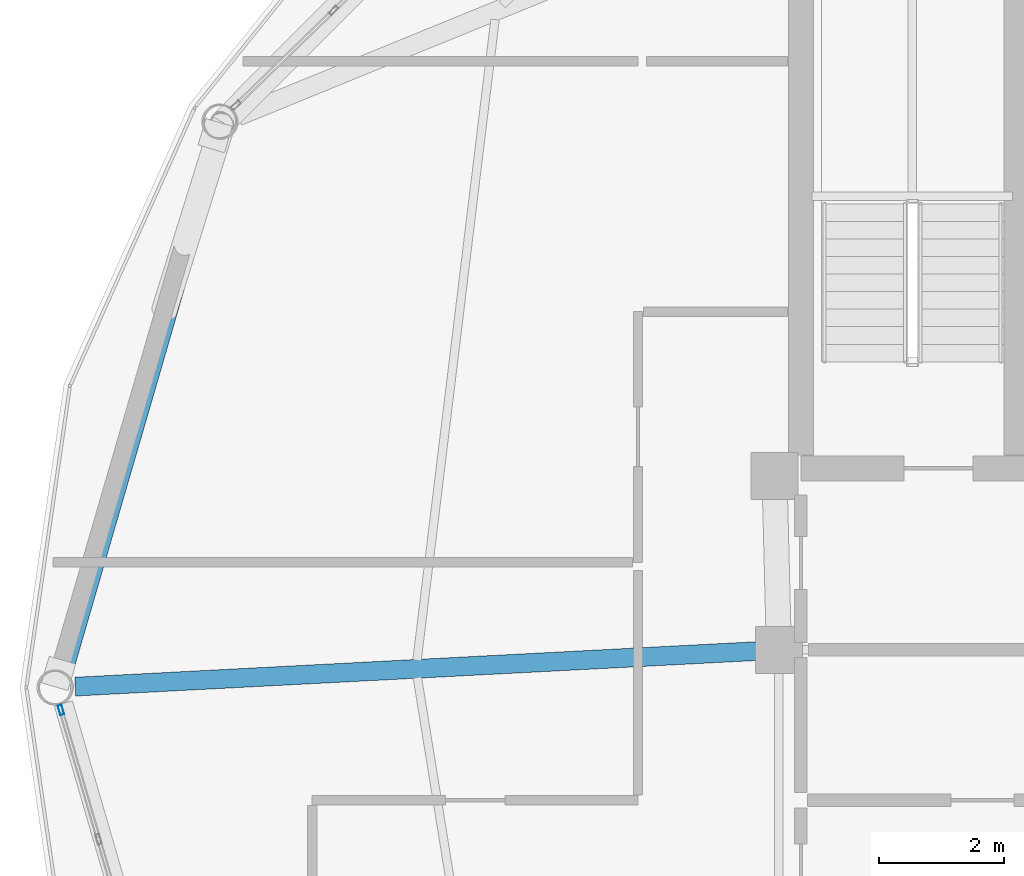
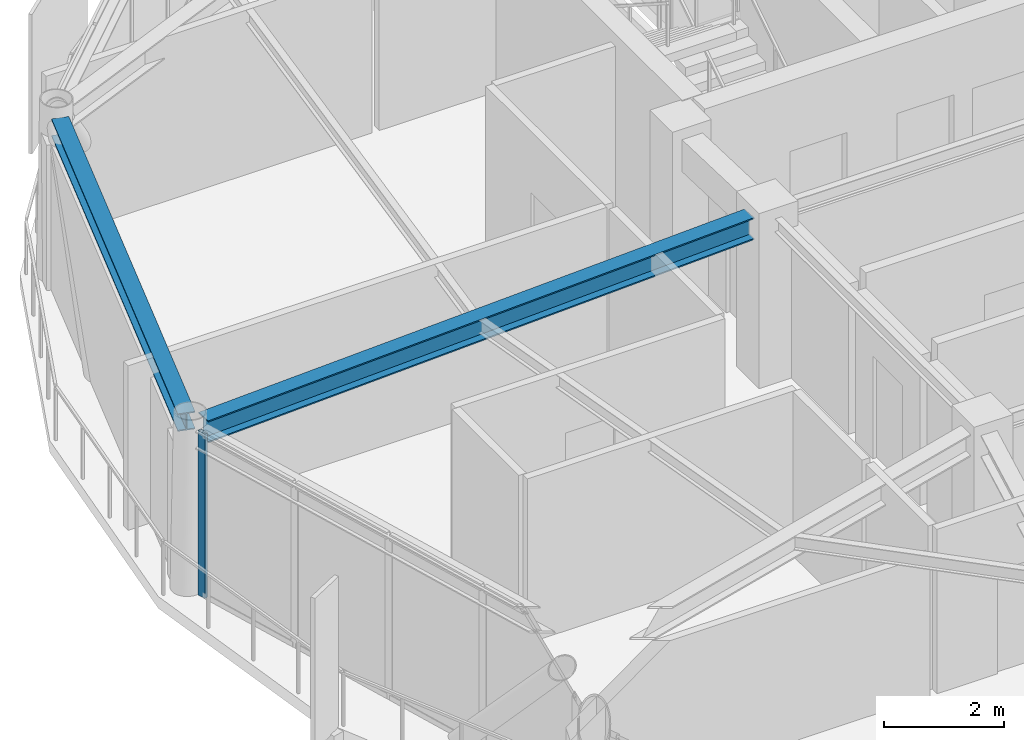
# One storey, part 11 of 27: 2 beams, 1 member, 1 element without a shape of its own.
"""IFC4 building model written with IfcOpenShell, lengths in metres."""

from ifc_helpers import new_model, si_unit, direction, frame, origin, origin_2d, place, context, subcontext, project, spatial, hollow_rectangle, i_section, extrude, material, layer, layer_set, material_profile, profile_set, type_object, element, aggregate, save


model = new_model("IFC4")

# Units and contexts
model_context = context("Model", 3, precision=1e-05, world=origin(), true_north=direction((0.0, 1.0)))
body_context = subcontext(model_context, "Body", "Model", "MODEL_VIEW")
ifc_project = project(units=[si_unit("LENGTHUNIT", "METRE"), si_unit("AREAUNIT", "SQUARE_METRE"), si_unit("VOLUMEUNIT", "CUBIC_METRE"), si_unit("PLANEANGLEUNIT", "RADIAN"), si_unit("MASSUNIT", "GRAM", prefix="KILO")], contexts=[model_context])

# Site, building, storey
site_placement = place(None, origin())
site = spatial("IfcSite", under=ifc_project, at=site_placement, CompositionType="ELEMENT")
building_placement = place(site_placement, origin())
building = spatial("IfcBuilding", under=site, at=building_placement, Name="Varnakorn Sky Granary", CompositionType="ELEMENT")
storey_placement = place(building_placement, frame((0.0, 0.0, 232.800048828125)))
storey = spatial("IfcBuildingStorey", under=building, at=storey_placement, Name="L59", CompositionType="ELEMENT", Elevation=232.800048828125)

# Beams
ifc_material_1 = material(Name="Steel S355JR", Category="steel")
ifc_material_profile_1 = material_profile(ifc_material_1, i_section(OverallWidth=0.300048828125, OverallDepth=0.449951171875, WebThickness=0.013916015625, FlangeThickness=0.02587890625, at=origin_2d()), Name="HE 450 B")
ifc_profile_set_1 = profile_set([ifc_material_profile_1], Name="Steel S355JR")
beam_type_1 = type_object("IfcBeamType", Name="BM-RAD-Z5", PredefinedType="BEAM", material=ifc_profile_set_1)
beam_1_placement = place(storey_placement, frame((-2.70458984375, 0.58154296875, 3.135009765625), z_axis=(-0.998641683412, -0.052103628965, 0.0), x_axis=(0.052103628965, -0.998641683412, 0.0)))
element("IfcBeam", 1, at=beam_1_placement, inside=storey, type_object=beam_type_1, Name="Radial Floor Girder RG07 L59", PredefinedType="BEAM", context=body_context, shape_type="SweptSolid", body=[
    extrude(i_section(OverallWidth=0.300048828125, OverallDepth=0.449951171875, WebThickness=0.013916015625, FlangeThickness=0.02587890625, at=origin_2d()), origin(), (0.0, 0.0, 1.0), 10.894287109375),
])
ifc_material_profile_2 = material_profile(ifc_material_1, i_section(OverallWidth=0.300048828125, OverallDepth=0.360107421875, WebThickness=0.012451171875, FlangeThickness=0.0224609375, at=origin_2d()), Name="HE 360 B")
ifc_profile_set_2 = profile_set([ifc_material_profile_2], Name="Steel S355JR")
beam_type_2 = type_object("IfcBeamType", Name="BM-SPD-Z5", PredefinedType="SPANDREL", material=ifc_profile_set_2)
beam_2_placement = place(storey_placement, frame((-11.2998046875, 8.765380859375, 3.179931640625), z_axis=(-0.279152699023, -0.960246723831, 0.0), x_axis=(0.960246723831, -0.279152699023, 0.0)))
element("IfcBeam", 2, at=beam_2_placement, inside=storey, type_object=beam_type_2, Name="Perimeter Spandrel Ring Beam RB06 L59", PredefinedType="SPANDREL", context=body_context, shape_type="SweptSolid", body=[
    extrude(i_section(OverallWidth=0.300048828125, OverallDepth=0.360107421875, WebThickness=0.012451171875, FlangeThickness=0.0224609375, at=origin_2d()), origin(), (0.0, 0.0, 1.0), 8.86376953125),
])

# Curtain wall, member
ifc_material_2 = material(Name="Anodised Bronze Aluminium Alloy 6063-T6", Category="aluminium")
ifc_layer = layer(ifc_material_2, 0.169921875, Name="Anodised Bronze Aluminium Alloy 6063-T6")
ifc_layer_set = layer_set([ifc_layer], Name="Anodised Bronze Aluminium Alloy 6063-T6")
curtain_wall_type = type_object("IfcCurtainWallType", Name="CW-LAB-1", PredefinedType="USERDEFINED", material=ifc_layer_set)
curtain_wall_placement = place(storey_placement, origin())
curtain_wall = element("IfcCurtainWall", 3, at=curtain_wall_placement, inside=storey, type_object=curtain_wall_type, Name="Unitised Curtain Wall CW5 CW-L59-B07", ObjectType="CURTAIN WALL", PredefinedType="USERDEFINED")
ifc_material_profile_3 = material_profile(ifc_material_2, hollow_rectangle(XDim=0.06494140625, YDim=0.159912109375, WallThickness=0.00341796875, at=origin_2d()), Name="ALU MULL 65x160")
ifc_profile_set_3 = profile_set([ifc_material_profile_3], Name="Anodised Bronze Aluminium Alloy 6063-T6")
member_type = type_object("IfcMemberType", Name="CW-LAB-1-MULL", PredefinedType="MULLION", material=ifc_profile_set_3)
member_placement = place(storey_placement, frame((-13.81201171875, -0.357177734375, 0.0), z_axis=(0.0, 0.0, 1.0), x_axis=(-0.960128537246, -0.27955892396, 0.0)))
member = element("IfcMember", 4, at=member_placement, type_object=member_type, Name="CW5 mullion 5", PredefinedType="MULLION", context=body_context, shape_type="SweptSolid", body=[
    extrude(hollow_rectangle(XDim=0.06494140625, YDim=0.159912109375, WallThickness=0.00341796875, at=origin_2d()), origin(), (0.0, 0.0, 1.0), 3.35986328125),
])
aggregate(curtain_wall, [member])

save(model, "model.ifc")
